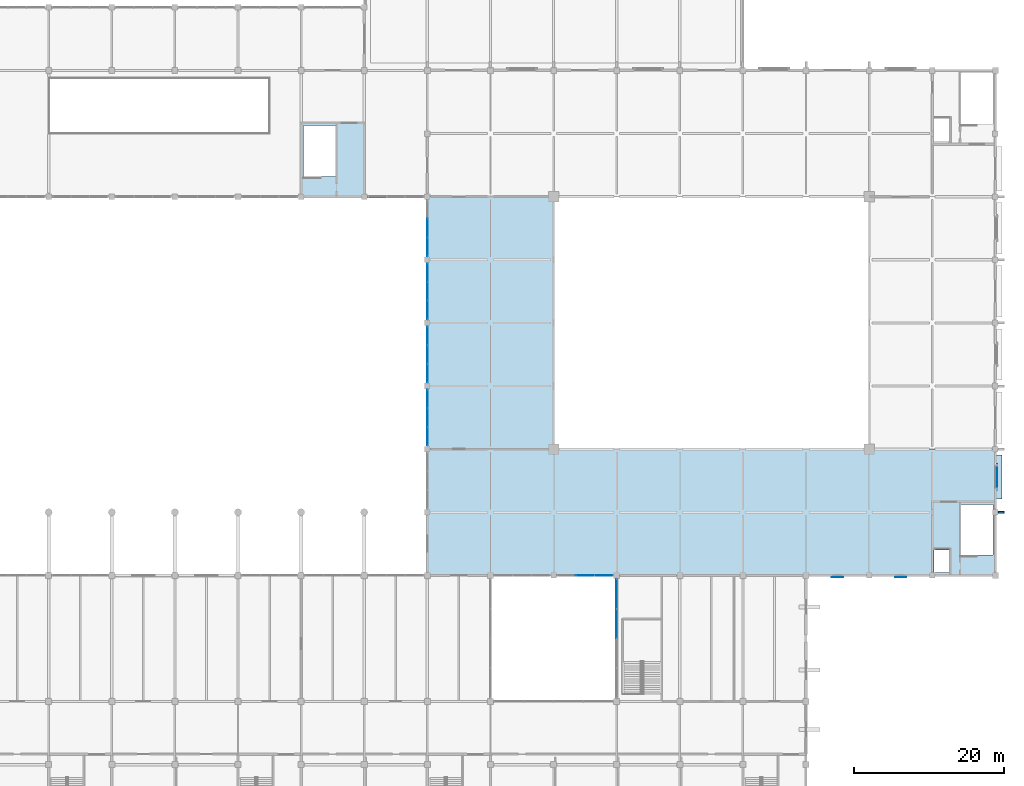
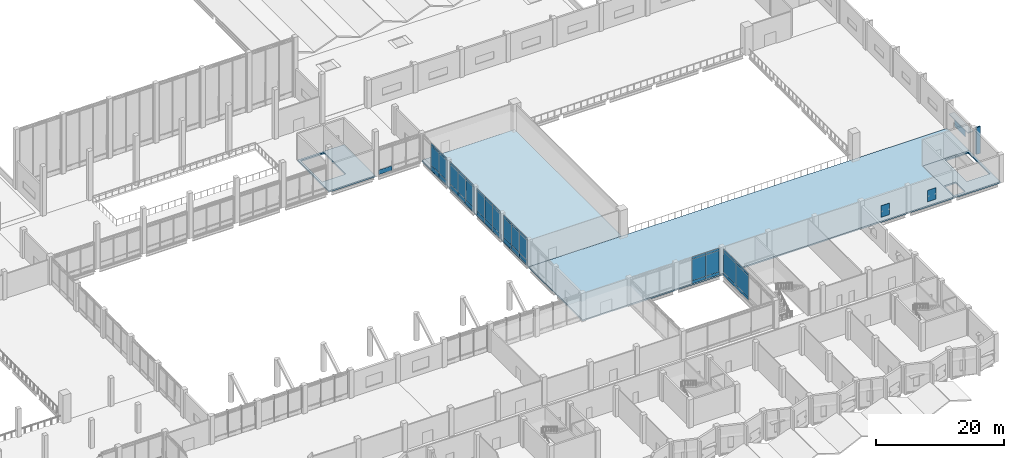
# One storey, part 44 of 72: 51 plates, 4 slabs, 7 elements without a shape of their own.
"""IFC4 building model written with IfcOpenShell, lengths in metres."""

import ifcopenshell
import ifcopenshell.guid

model = None  # the IFC model being written
_history = None  # IfcOwnerHistory: only IFC2X3 demands one
_inside = {}  # id of a spatial element -> (the spatial element, [elements in it])
_under = {}  # id of a project, library or spatial element -> (it, [spatial elements below it])
_declared = {}  # id of a project -> (the project, [libraries it declares])
_typed = {}  # id of a type object -> (the type object, [elements of that type])
_made_of = {}  # id of a material, layer set ... -> (it, [elements and type objects made of it])


def new_model(schema):
    """Start an empty IFC model of exactly this schema.

    Asked for "IFC4X3", IfcOpenShell would pick the latest addendum, in which some entities
    have other attributes; the version numbers below select the first issue.
    IFC2X3 requires an IfcOwnerHistory on every rooted entity: one is made here for all.
    """
    global model, _history
    if schema == "IFC4X3":
        model = ifcopenshell.file(schema_version=(4, 3, 0, 0))
    else:
        model = ifcopenshell.file(schema=schema)
    _inside.clear()
    _under.clear()
    _declared.clear()
    _typed.clear()
    _made_of.clear()
    _history = None
    if model.schema == "IFC2X3":
        org = make("IfcOrganization", Name="unknown")
        user = make(
            "IfcPersonAndOrganization",
            ThePerson=make("IfcPerson", FamilyName="unknown"),
            TheOrganization=org,
        )
        app = make(
            "IfcApplication",
            ApplicationDeveloper=org,
            Version="unknown",
            ApplicationFullName="unknown",
            ApplicationIdentifier="unknown",
        )
        _history = make(
            "IfcOwnerHistory",
            OwningUser=user,
            OwningApplication=app,
            ChangeAction="ADDED",
            CreationDate=0,
        )
    return model


def make(cls, **values):
    """One entity of the class cls with the attributes given. An attribute that is None is left unset."""
    return model.create_entity(
        cls, **{name: value for name, value in values.items() if value is not None}
    )


def rooted(cls, **values):
    """An entity with a GlobalId (a new one), such as an element, a storey or a relation."""
    return make(cls, GlobalId=ifcopenshell.guid.new(), OwnerHistory=_history, **values)


def si_unit(unit_type, name, prefix=None):
    """IfcSIUnit, for example si_unit("LENGTHUNIT", "METRE", prefix="MILLI")."""
    return make("IfcSIUnit", UnitType=unit_type, Prefix=prefix, Name=name)


def assignment(units):
    """IfcUnitAssignment: the units of a project."""
    return None if units is None else make("IfcUnitAssignment", Units=units)


def point(xyz):
    """IfcCartesianPoint."""
    return None if xyz is None else make("IfcCartesianPoint", Coordinates=xyz)


def direction(xyz):
    """IfcDirection."""
    return None if xyz is None else make("IfcDirection", DirectionRatios=xyz)


def frame(location, z_axis=None, x_axis=None):
    """IfcAxis2Placement3D, a coordinate frame: its origin and axes. An axis left out is left unset."""
    return make(
        "IfcAxis2Placement3D",
        Location=point(location),
        Axis=direction(z_axis),
        RefDirection=direction(x_axis),
    )


def frame_2d(location, x_axis=None):
    """IfcAxis2Placement2D, a coordinate frame in the plane: its origin and x axis."""
    return make(
        "IfcAxis2Placement2D", Location=point(location), RefDirection=direction(x_axis)
    )


def origin():
    """The frame at (0, 0, 0) with its axes left unset."""
    return frame((0.0, 0.0, 0.0))


def place(relative_to, where):
    """IfcLocalPlacement: puts the frame where relative to a parent placement (None: the world)."""
    return make(
        "IfcLocalPlacement", PlacementRelTo=relative_to, RelativePlacement=where
    )


def context(
    kind, dimensions, precision=None, world=None, true_north=None, identifier=None
):
    """IfcGeometricRepresentationContext, for example the 3D "Model" context."""
    return make(
        "IfcGeometricRepresentationContext",
        ContextIdentifier=identifier,
        ContextType=kind,
        CoordinateSpaceDimension=dimensions,
        Precision=precision,
        WorldCoordinateSystem=world,
        TrueNorth=true_north,
    )


def subcontext(parent, identifier, kind, view, scale=None):
    """IfcGeometricRepresentationSubContext, for example "Body" below "Model"."""
    return make(
        "IfcGeometricRepresentationSubContext",
        ContextIdentifier=identifier,
        ContextType=kind,
        ParentContext=parent,
        TargetScale=scale,
        TargetView=view,
    )


def project(units=None, contexts=None):
    """IfcProject with its units and contexts."""
    return rooted(
        "IfcProject",
        Name="project",
        RepresentationContexts=contexts,
        UnitsInContext=assignment(units),
    )


def spatial(cls, under=None, at=None, **own):
    """A site, building, storey or space (cls), placed at a placement, below another one or the project."""
    s = rooted(cls, ObjectPlacement=at, **own)
    if under is not None:
        _under.setdefault(under.id(), (under, []))[1].append(s)
    return s


def polyline(points):
    """IfcPolyline through the points."""
    return make("IfcPolyline", Points=[point(p) for p in points])


def profile(cls, at=None, kind="AREA", **sizes):
    """A parametric profile (cls). Its sizes go by their IFC names, for example OverallWidth=200.0."""
    return make(cls, ProfileType=kind, Position=at, **sizes)


def rectangle(**sizes):
    """IfcRectangleProfileDef."""
    return profile("IfcRectangleProfileDef", **sizes)


def outline(outer, holes=None, kind="AREA"):
    """IfcArbitraryClosedProfileDef: a profile drawn as a closed curve; with holes, ...WithVoids."""
    if holes is None:
        return make("IfcArbitraryClosedProfileDef", ProfileType=kind, OuterCurve=outer)
    return make(
        "IfcArbitraryProfileDefWithVoids",
        ProfileType=kind,
        OuterCurve=outer,
        InnerCurves=holes,
    )


def extrude(swept, where, along, depth):
    """IfcExtrudedAreaSolid: the profile swept, set in the frame where, extruded along a direction by depth."""
    return make(
        "IfcExtrudedAreaSolid",
        SweptArea=swept,
        Position=where,
        ExtrudedDirection=direction(along),
        Depth=depth,
    )


def shape(context_of_items, identifier, shape_type, items):
    """IfcShapeRepresentation: the items that make up one representation, for example the "Body"."""
    return make(
        "IfcShapeRepresentation",
        ContextOfItems=context_of_items,
        RepresentationIdentifier=identifier,
        RepresentationType=shape_type,
        Items=items,
    )


def material(Name=None, Category=None):
    """IfcMaterial."""
    return make("IfcMaterial", Name=Name, Category=Category)


def layer(
    of_material, thickness, ventilated=None, Name=None, Category=None, Priority=None
):
    """IfcMaterialLayer: one layer of a wall or slab, of a material (None: an air gap)."""
    return make(
        "IfcMaterialLayer",
        Material=of_material,
        LayerThickness=thickness,
        IsVentilated=ventilated,
        Name=Name,
        Category=Category,
        Priority=Priority,
    )


def layer_set(layers, Name=None):
    """IfcMaterialLayerSet."""
    return make("IfcMaterialLayerSet", MaterialLayers=layers, LayerSetName=Name)


def made_of(thing, what):
    """Note that an element or type object is made of a material, layer set ...; save() writes the relation."""
    if what is not None:
        _made_of.setdefault(what.id(), (what, []))[1].append(thing)
    return thing


def type_object(cls, material=None, **own):
    """A type object (cls), such as IfcWallType, which elements share."""
    return made_of(rooted(cls, **own), material)


def element(
    cls,
    number,
    at=None,
    inside=None,
    cuts=None,
    type_object=None,
    material=None,
    context=None,
    identifier="Body",
    shape_type=None,
    held_by="IfcProductDefinitionShape",
    body=None,
    shapes=None,
    **own,
):
    """One element of the class cls, such as IfcWall. Its Tag is "e" and its number.

    at: its placement. inside: the storey or other place that contains it. cuts: it is an
    opening in that element (IfcRelVoidsElement). A single representation is given by context,
    identifier, shape_type and body (its items); several are given by shapes. held_by: the class
    of the entity that holds the representations. save() writes the other relations.
    """
    e = rooted(cls, Tag="e%d" % number, ObjectPlacement=at, **own)
    if body is not None:
        shapes = [shape(context, identifier, shape_type, body)]
    if shapes is not None:
        e.Representation = make(held_by, Representations=shapes)
    if inside is not None:
        _inside.setdefault(inside.id(), (inside, []))[1].append(e)
    if cuts is not None:
        rooted(
            "IfcRelVoidsElement", RelatingBuildingElement=cuts, RelatedOpeningElement=e
        )
    if type_object is not None:
        _typed.setdefault(type_object.id(), (type_object, []))[1].append(e)
    return made_of(e, material)


def aggregate(whole, parts):
    """IfcRelAggregates: a whole, such as a stair, and the parts it consists of."""
    return rooted("IfcRelAggregates", RelatingObject=whole, RelatedObjects=parts)


def save(model, path):
    """Write the relations noted so far, then the file.

    IfcRelAggregates (storeys below a building ...), IfcRelContainedInSpatialStructure (elements
    in a storey), IfcRelDefinesByType, IfcRelAssociatesMaterial and IfcRelDeclares: one each for
    every whole, place, type object, material and project.
    """
    for whole, parts in _under.values():
        aggregate(whole, parts)
    for where, things in _inside.values():
        rooted(
            "IfcRelContainedInSpatialStructure",
            RelatedElements=things,
            RelatingStructure=where,
        )
    for kind, things in _typed.values():
        rooted("IfcRelDefinesByType", RelatedObjects=things, RelatingType=kind)
    for what, things in _made_of.values():
        rooted("IfcRelAssociatesMaterial", RelatedObjects=things, RelatingMaterial=what)
    for by, libraries in _declared.values():
        rooted("IfcRelDeclares", RelatingContext=by, RelatedDefinitions=libraries)
    model.write(path)


model = new_model("IFC4")

# Units and contexts
model_context = context("Model", 3, precision=1e-05, world=origin(), true_north=direction((0.0, 1.0)))
body_context = subcontext(model_context, "Body", "Model", "MODEL_VIEW")
ifc_project = project(units=[si_unit("LENGTHUNIT", "METRE"), si_unit("AREAUNIT", "SQUARE_METRE"), si_unit("VOLUMEUNIT", "CUBIC_METRE"), si_unit("PLANEANGLEUNIT", "RADIAN"), si_unit("MASSUNIT", "GRAM", prefix="KILO")], contexts=[model_context])

# Site, building, storey
site_placement = place(None, origin())
site = spatial("IfcSite", under=ifc_project, at=site_placement, CompositionType="ELEMENT")
building_placement = place(site_placement, origin())
building = spatial("IfcBuilding", under=site, at=building_placement, Name="Qawsi Khor Wholesale Market", CompositionType="ELEMENT")
storey_placement = place(building_placement, frame((0.0, 0.0, 6.0)))
storey = spatial("IfcBuildingStorey", under=building, at=storey_placement, Name="L01", CompositionType="ELEMENT", Elevation=6.0)

# Curtain wall, plates
ifc_material_1 = material(Name="Aluminium Anodised Bronze", Category="aluminium")
ifc_layer_1 = layer(ifc_material_1, 0.179931640625, Name="Aluminium Anodised Bronze")
ifc_layer_set_1 = layer_set([ifc_layer_1], Name="Aluminium Anodised Bronze")
curtain_wall_type_1 = type_object("IfcCurtainWallType", Name="Atrium Full-Height Curtain Wall CW-02", PredefinedType="NOTDEFINED", material=ifc_layer_set_1)
curtain_wall_1_placement = place(storey_placement, origin())
curtain_wall_1 = element("IfcCurtainWall", 1, at=curtain_wall_1_placement, inside=storey, type_object=curtain_wall_type_1, Name="Curtain wall CW-CW-02-L01-038", PredefinedType="NOTDEFINED")
ifc_material_2 = material(Name="Anodised Aluminium Spandrel", Category="aluminium")
ifc_layer_2 = layer(ifc_material_2, 0.06494140625, Name="Anodised Aluminium Spandrel")
ifc_layer_set_2 = layer_set([ifc_layer_2], Name="Anodised Aluminium Spandrel")
plate_type_1 = type_object("IfcPlateType", Name="Insulated Spandrel Panel CW-02 65mm", PredefinedType="CURTAIN_PANEL", material=ifc_layer_set_2)
plate_1_placement = place(storey_placement, frame((162.56494140625, 42.0, 0.0048828125), z_axis=(0.0, 0.0, 1.0), x_axis=(1.0, 0.0, 0.0)))
plate_1 = element("IfcPlate", 2, at=plate_1_placement, type_object=plate_type_1, Name="Curtain panel CW-CW-02-L01-038-P0_01", PredefinedType="CURTAIN_PANEL", context=body_context, shape_type="SweptSolid", body=[
    extrude(rectangle(XDim=2.469970703125, YDim=0.06494140625, at=frame_2d((1.23486328125, 0.0))), origin(), (0.0, 0.0, 1.0), 0.590087890625),
])
plate_2_placement = place(storey_placement, frame((165.034912109375, 42.0, 0.0048828125), z_axis=(0.0, 0.0, 1.0), x_axis=(1.0, 0.0, 0.0)))
plate_2 = element("IfcPlate", 3, at=plate_2_placement, type_object=plate_type_1, Name="Curtain panel CW-CW-02-L01-038-P0_02", PredefinedType="CURTAIN_PANEL", context=body_context, shape_type="SweptSolid", body=[
    extrude(rectangle(XDim=2.469970703125, YDim=0.06494140625, at=frame_2d((1.23486328125, 0.0))), origin(), (0.0, 0.0, 1.0), 0.590087890625),
])

curtain_wall_2_placement = place(storey_placement, origin())
curtain_wall_2 = element("IfcCurtainWall", 4, at=curtain_wall_2_placement, inside=storey, type_object=curtain_wall_type_1, Name="Curtain wall CW-CW-02-L01-040", PredefinedType="NOTDEFINED")
plate_3_placement = place(storey_placement, frame((168.0, 33.60009765625, 0.0048828125), z_axis=(0.0, 0.0, 1.0), x_axis=(0.0, 1.0, 0.0)))
plate_3 = element("IfcPlate", 5, at=plate_3_placement, type_object=plate_type_1, Name="Curtain panel CW-CW-02-L01-040-P0_02", PredefinedType="CURTAIN_PANEL", context=body_context, shape_type="SweptSolid", body=[
    extrude(rectangle(XDim=3.952392578125, YDim=0.06494140625, at=frame_2d((1.97607421875, 0.0))), origin(), (0.0, 0.0, 1.0), 0.590087890625),
])
plate_4_placement = place(storey_placement, frame((168.0, 37.552490234375, 0.0048828125), z_axis=(0.0, 0.0, 1.0), x_axis=(0.0, 1.0, 0.0)))
plate_4 = element("IfcPlate", 6, at=plate_4_placement, type_object=plate_type_1, Name="Curtain panel CW-CW-02-L01-040-P0_03", PredefinedType="CURTAIN_PANEL", context=body_context, shape_type="SweptSolid", body=[
    extrude(rectangle(XDim=3.952392578125, YDim=0.06494140625, at=frame_2d((1.97607421875, 0.0))), origin(), (0.0, 0.0, 1.0), 0.590087890625),
])

ifc_layer_3 = layer(ifc_material_1, 0.199951171875, Name="Aluminium Anodised Bronze")
ifc_layer_set_3 = layer_set([ifc_layer_3], Name="Aluminium Anodised Bronze")
curtain_wall_type_2 = type_object("IfcCurtainWallType", Name="Trading Hall North-Light Curtain Wall CW-03", PredefinedType="NOTDEFINED", material=ifc_layer_set_3)
curtain_wall_3_placement = place(storey_placement, origin())
curtain_wall_3 = element("IfcCurtainWall", 7, at=curtain_wall_3_placement, inside=storey, type_object=curtain_wall_type_2, Name="Curtain wall CW-CW-03-L01-081", PredefinedType="NOTDEFINED")
ifc_layer_4 = layer(ifc_material_2, 0.074951171875, Name="Anodised Aluminium Spandrel")
ifc_layer_set_4 = layer_set([ifc_layer_4], Name="Anodised Aluminium Spandrel")
plate_type_2 = type_object("IfcPlateType", Name="Insulated Spandrel Panel CW-03 75mm", PredefinedType="CURTAIN_PANEL", material=ifc_layer_set_4)
plate_5_placement = place(storey_placement, frame((142.800048828125, 59.297607421875, 0.0048828125), z_axis=(0.0, 0.0, 1.0), x_axis=(0.0, 1.0, 0.0)))
plate_5 = element("IfcPlate", 8, at=plate_5_placement, type_object=plate_type_2, Name="Curtain panel CW-CW-03-L01-081-P0_00", PredefinedType="CURTAIN_PANEL", context=body_context, shape_type="SweptSolid", body=[
    extrude(rectangle(XDim=2.46826171875, YDim=0.074951171875, at=frame_2d((1.234130859375, 0.0))), origin(), (0.0, 0.0, 1.0), 0.840087890625),
])
plate_6_placement = place(storey_placement, frame((142.800048828125, 61.765869140625, 0.0048828125), z_axis=(0.0, 0.0, 1.0), x_axis=(0.0, 1.0, 0.0)))
plate_6 = element("IfcPlate", 9, at=plate_6_placement, type_object=plate_type_2, Name="Curtain panel CW-CW-03-L01-081-P0_01", PredefinedType="CURTAIN_PANEL", context=body_context, shape_type="SweptSolid", body=[
    extrude(rectangle(XDim=2.46826171875, YDim=0.074951171875, at=frame_2d((1.234130859375, 0.0))), origin(), (0.0, 0.0, 1.0), 0.840087890625),
])
plate_7_placement = place(storey_placement, frame((142.800048828125, 64.234130859375, 0.0048828125), z_axis=(0.0, 0.0, 1.0), x_axis=(0.0, 1.0, 0.0)))
plate_7 = element("IfcPlate", 10, at=plate_7_placement, type_object=plate_type_2, Name="Curtain panel CW-CW-03-L01-081-P0_02", PredefinedType="CURTAIN_PANEL", context=body_context, shape_type="SweptSolid", body=[
    extrude(rectangle(XDim=2.46826171875, YDim=0.074951171875, at=frame_2d((1.234130859375, 0.0))), origin(), (0.0, 0.0, 1.0), 0.840087890625),
])

curtain_wall_4_placement = place(storey_placement, origin())
curtain_wall_4 = element("IfcCurtainWall", 11, at=curtain_wall_4_placement, inside=storey, type_object=curtain_wall_type_2, Name="Curtain wall CW-CW-03-L01-086", PredefinedType="NOTDEFINED")
plate_8_placement = place(storey_placement, frame((142.800048828125, 67.697509765625, 0.0048828125), z_axis=(0.0, 0.0, 1.0), x_axis=(0.0, 1.0, 0.0)))
plate_8 = element("IfcPlate", 12, at=plate_8_placement, type_object=plate_type_2, Name="Curtain panel CW-CW-03-L01-086-P0_00", PredefinedType="CURTAIN_PANEL", context=body_context, shape_type="SweptSolid", body=[
    extrude(rectangle(XDim=2.46826171875, YDim=0.074951171875, at=frame_2d((1.234130859375, 0.0))), origin(), (0.0, 0.0, 1.0), 0.840087890625),
])
plate_9_placement = place(storey_placement, frame((142.800048828125, 70.165771484375, 0.0048828125), z_axis=(0.0, 0.0, 1.0), x_axis=(0.0, 1.0, 0.0)))
plate_9 = element("IfcPlate", 13, at=plate_9_placement, type_object=plate_type_2, Name="Curtain panel CW-CW-03-L01-086-P0_01", PredefinedType="CURTAIN_PANEL", context=body_context, shape_type="SweptSolid", body=[
    extrude(rectangle(XDim=2.468505859375, YDim=0.074951171875, at=frame_2d((1.234375, 0.0))), origin(), (0.0, 0.0, 1.0), 0.840087890625),
])
plate_10_placement = place(storey_placement, frame((142.800048828125, 72.63427734375, 0.0048828125), z_axis=(0.0, 0.0, 1.0), x_axis=(0.0, 1.0, 0.0)))
plate_10 = element("IfcPlate", 14, at=plate_10_placement, type_object=plate_type_2, Name="Curtain panel CW-CW-03-L01-086-P0_02", PredefinedType="CURTAIN_PANEL", context=body_context, shape_type="SweptSolid", body=[
    extrude(rectangle(XDim=2.46826171875, YDim=0.074951171875, at=frame_2d((1.234130859375, 0.0))), origin(), (0.0, 0.0, 1.0), 0.840087890625),
])

curtain_wall_5_placement = place(storey_placement, origin())
curtain_wall_5 = element("IfcCurtainWall", 15, at=curtain_wall_5_placement, inside=storey, type_object=curtain_wall_type_2, Name="Curtain wall CW-CW-03-L01-091", PredefinedType="NOTDEFINED")
plate_11_placement = place(storey_placement, frame((142.800048828125, 76.097412109375, 0.0048828125), z_axis=(0.0, 0.0, 1.0), x_axis=(0.0, 1.0, 0.0)))
plate_11 = element("IfcPlate", 16, at=plate_11_placement, type_object=plate_type_2, Name="Curtain panel CW-CW-03-L01-091-P0_00", PredefinedType="CURTAIN_PANEL", context=body_context, shape_type="SweptSolid", body=[
    extrude(rectangle(XDim=2.468505859375, YDim=0.074951171875, at=frame_2d((1.234375, 0.0))), origin(), (0.0, 0.0, 1.0), 0.840087890625),
])
plate_12_placement = place(storey_placement, frame((142.800048828125, 78.56591796875, 0.0048828125), z_axis=(0.0, 0.0, 1.0), x_axis=(0.0, 1.0, 0.0)))
plate_12 = element("IfcPlate", 17, at=plate_12_placement, type_object=plate_type_2, Name="Curtain panel CW-CW-03-L01-091-P0_01", PredefinedType="CURTAIN_PANEL", context=body_context, shape_type="SweptSolid", body=[
    extrude(rectangle(XDim=2.46826171875, YDim=0.074951171875, at=frame_2d((1.234130859375, 0.0))), origin(), (0.0, 0.0, 1.0), 0.840087890625),
])
plate_13_placement = place(storey_placement, frame((142.800048828125, 81.0341796875, 0.0048828125), z_axis=(0.0, 0.0, 1.0), x_axis=(0.0, 1.0, 0.0)))
plate_13 = element("IfcPlate", 18, at=plate_13_placement, type_object=plate_type_2, Name="Curtain panel CW-CW-03-L01-091-P0_02", PredefinedType="CURTAIN_PANEL", context=body_context, shape_type="SweptSolid", body=[
    extrude(rectangle(XDim=2.46826171875, YDim=0.074951171875, at=frame_2d((1.234130859375, 0.0))), origin(), (0.0, 0.0, 1.0), 0.840087890625),
])

curtain_wall_6_placement = place(storey_placement, origin())
curtain_wall_6 = element("IfcCurtainWall", 19, at=curtain_wall_6_placement, inside=storey, type_object=curtain_wall_type_2, Name="Curtain wall CW-CW-03-L01-096", PredefinedType="NOTDEFINED")
plate_14_placement = place(storey_placement, frame((142.800048828125, 84.49755859375, 0.0048828125), z_axis=(0.0, 0.0, 1.0), x_axis=(0.0, 1.0, 0.0)))
plate_14 = element("IfcPlate", 20, at=plate_14_placement, type_object=plate_type_2, Name="Curtain panel CW-CW-03-L01-096-P0_00", PredefinedType="CURTAIN_PANEL", context=body_context, shape_type="SweptSolid", body=[
    extrude(rectangle(XDim=2.46826171875, YDim=0.074951171875, at=frame_2d((1.234130859375, 0.0))), origin(), (0.0, 0.0, 1.0), 0.840087890625),
])
plate_15_placement = place(storey_placement, frame((142.800048828125, 86.9658203125, 0.0048828125), z_axis=(0.0, 0.0, 1.0), x_axis=(0.0, 1.0, 0.0)))
plate_15 = element("IfcPlate", 21, at=plate_15_placement, type_object=plate_type_2, Name="Curtain panel CW-CW-03-L01-096-P0_01", PredefinedType="CURTAIN_PANEL", context=body_context, shape_type="SweptSolid", body=[
    extrude(rectangle(XDim=2.46826171875, YDim=0.074951171875, at=frame_2d((1.234130859375, 0.0))), origin(), (0.0, 0.0, 1.0), 0.840087890625),
])

# Curtain wall, plate
ifc_layer_5 = layer(ifc_material_1, 0.219970703125, Name="Aluminium Anodised Bronze")
ifc_layer_set_5 = layer_set([ifc_layer_5], Name="Aluminium Anodised Bronze")
curtain_wall_type_3 = type_object("IfcCurtainWallType", Name="Auction Clerestory Curtain Wall CW-04", PredefinedType="NOTDEFINED", material=ifc_layer_set_5)
curtain_wall_7_placement = place(storey_placement, origin())
curtain_wall_7 = element("IfcCurtainWall", 22, at=curtain_wall_7_placement, inside=storey, type_object=curtain_wall_type_3, Name="Curtain wall CW-CW-04-L01-116", PredefinedType="NOTDEFINED")
ifc_layer_6 = layer(ifc_material_2, 0.0849609375, Name="Anodised Aluminium Spandrel")
ifc_layer_set_6 = layer_set([ifc_layer_6], Name="Anodised Aluminium Spandrel")
plate_type_3 = type_object("IfcPlateType", Name="Insulated Spandrel Panel CW-04 85mm", PredefinedType="CURTAIN_PANEL", material=ifc_layer_set_6)
plate_16_placement = place(storey_placement, frame((134.949951171875, 92.39990234375, 0.0048828125), z_axis=(0.0, 0.0, 1.0), x_axis=(1.0, 0.0, 0.0)))
plate_16 = element("IfcPlate", 23, at=plate_16_placement, type_object=plate_type_3, Name="Curtain panel CW-CW-04-L01-116-P0_00", PredefinedType="CURTAIN_PANEL", context=body_context, shape_type="SweptSolid", body=[
    extrude(rectangle(XDim=2.449951171875, YDim=0.0849609375, at=frame_2d((1.22509765625, 0.0))), origin(), (0.0, 0.0, 1.0), 0.840087890625),
])
aggregate(curtain_wall_7, [plate_16])

# Slabs
ifc_material_3 = material(Name="Concrete C40/50", Category="concrete")
ifc_layer_7 = layer(ifc_material_3, 0.27001953125, Name="Concrete C40/50")
ifc_layer_set_7 = layer_set([ifc_layer_7], Name="Concrete C40/50")
slab_type_1 = type_object("IfcSlabType", Name="Mezzanine Floor Slab 265 C40/50", PredefinedType="FLOOR", material=ifc_layer_set_7)
slab_1_placement = place(storey_placement, frame((0.0, 0.0, -0.27001953125)))
element("IfcSlab", 24, at=slab_1_placement, inside=storey, type_object=slab_type_1, Name="SLB-L01-EHALL-S", PredefinedType="FLOOR", context=body_context, shape_type="SweptSolid", body=[
    extrude(outline(polyline([(142.800048828125, 58.800048828125), (218.39990234375, 58.800048828125), (218.39990234375, 51.800048828125), (210.0, 51.800048828125), (210.0, 42.0), (142.800048828125, 42.0), (142.800048828125, 58.800048828125)])), origin(), (0.0, 0.0, 1.0), 0.27001953125),
])
slab_2_placement = place(storey_placement, frame((0.0, 0.0, -0.27001953125)))
element("IfcSlab", 25, at=slab_2_placement, inside=storey, type_object=slab_type_1, Name="SLB-L01-EHALL-W", PredefinedType="FLOOR", context=body_context, shape_type="SweptSolid", body=[
    extrude(outline(polyline([(142.800048828125, 92.39990234375), (159.60009765625, 92.39990234375), (159.60009765625, 58.800048828125), (142.800048828125, 58.800048828125), (142.800048828125, 92.39990234375)])), origin(), (0.0, 0.0, 1.0), 0.27001953125),
])

# Plates
ifc_material_4 = material(Name="Perforated Bronze-Anodised Aluminium", Category="aluminium")
ifc_layer_8 = layer(ifc_material_4, 0.014892578125, Name="Perforated Bronze-Anodised Aluminium")
ifc_layer_set_8 = layer_set([ifc_layer_8], Name="Perforated Bronze-Anodised Aluminium")
plate_type_4 = type_object("IfcPlateType", Name="Perforated Bronze Mashrabiya Screen 15mm", PredefinedType="SHEET", material=ifc_layer_set_8)
for number, where, z_axis, x_axis, name in (
    (26, (198.14990234375, 41.735107421875, 0.949951171875), (0.0, 0.0, 1.0), (-1.0, 0.0, 0.0), "Solar mashrabiya screen 095"),
    (27, (206.550048828125, 41.735107421875, 0.949951171875), (0.0, 0.0, 1.0), (-1.0, 0.0, 0.0), "Solar mashrabiya screen 096"),
):
    element("IfcPlate", number, at=place(storey_placement, frame(where, z_axis=z_axis, x_axis=x_axis)), inside=storey, type_object=plate_type_4, Name=name, PredefinedType="SHEET", context=body_context, shape_type="SweptSolid", body=[
        extrude(rectangle(XDim=1.5, YDim=0.014892578125, at=frame_2d((0.75, 0.0))), origin(), (0.0, 0.0, 1.0), 2.199951171875),
    ])
ifc_layer_9 = layer(ifc_material_4, 0.028076171875, Name="Perforated Bronze-Anodised Aluminium")
ifc_layer_set_9 = layer_set([ifc_layer_9], Name="Perforated Bronze-Anodised Aluminium")
plate_type_5 = type_object("IfcPlateType", Name="Perforated Bronze Mashrabiya Screen 28mm", PredefinedType="SHEET", material=ifc_layer_set_9)
plate_17_placement = place(storey_placement, frame((218.6650390625, 56.784912109375, 1.449951171875), z_axis=(0.0, 0.0, 1.0), x_axis=(0.0, -1.0, 0.0)))
element("IfcPlate", 28, at=plate_17_placement, inside=storey, type_object=plate_type_5, Name="Solar mashrabiya screen 092", PredefinedType="SHEET", context=body_context, shape_type="SweptSolid", body=[
    extrude(rectangle(XDim=3.39990234375, YDim=0.028076171875, at=frame_2d((1.699951171875, 0.0))), origin(), (0.0, 0.0, 1.0), 1.25),
])
ifc_layer_10 = layer(ifc_material_3, 0.260009765625, Name="Concrete C40/50")
ifc_layer_set_10 = layer_set([ifc_layer_10], Name="Concrete C40/50")
plate_type_6 = type_object("IfcPlateType", Name="Sculpted Concrete Solar Buttress Fin 260", PredefinedType="SHEET", material=ifc_layer_set_10)
plate_18_placement = place(storey_placement, frame((218.7900390625, 50.39990234375, 0.0), z_axis=(0.0, 0.0, 1.0), x_axis=(1.0, 0.0, 0.0)))
element("IfcPlate", 29, at=plate_18_placement, inside=storey, type_object=plate_type_6, Name="East Hall Concrete Buttress Rib L01-6", PredefinedType="SHEET", context=body_context, shape_type="SweptSolid", body=[
    extrude(rectangle(XDim=0.760009765625, YDim=0.260009765625, at=frame_2d((0.3798828125, 0.0))), origin(), (0.0, 0.0, 1.0), 5.1298828125),
])
ifc_layer_11 = layer(ifc_material_3, 0.949951171875, Name="Concrete C40/50")
ifc_layer_set_11 = layer_set([ifc_layer_11], Name="Concrete C40/50")
plate_type_7 = type_object("IfcPlateType", Name="Sculpted Concrete Sun-Hood Canopy 950", PredefinedType="SHEET", material=ifc_layer_set_11)
plate_19_placement = place(storey_placement, frame((218.824951171875, 52.14990234375, 3.050048828125), z_axis=(0.0, 0.0, 1.0), x_axis=(0.0, 1.0, 0.0)))
element("IfcPlate", 30, at=plate_19_placement, inside=storey, type_object=plate_type_7, Name="East Hall Concrete Sun-Hood L01-6", PredefinedType="SHEET", context=body_context, shape_type="SweptSolid", body=[
    extrude(rectangle(XDim=5.8701171875, YDim=0.949951171875, at=frame_2d((2.93505859375, 0.0))), origin(), (0.0, 0.0, 1.0), 0.18994140625),
])

# Plate
ifc_material_5 = material(Name="Tempered Low-E Solar Glass", Category="glass")
ifc_layer_12 = layer(ifc_material_5, 0.031982421875, Name="Tempered Low-E Solar Glass")
ifc_layer_set_12 = layer_set([ifc_layer_12], Name="Tempered Low-E Solar Glass")
plate_type_8 = type_object("IfcPlateType", Name="Solar Double-Glazed Unit CW-02 32mm", PredefinedType="CURTAIN_PANEL", material=ifc_layer_set_12)
plate_20_placement = place(storey_placement, frame((162.56494140625, 42.0, 0.60498046875), z_axis=(0.0, 0.0, 1.0), x_axis=(1.0, 0.0, 0.0)))
plate_20 = element("IfcPlate", 31, at=plate_20_placement, type_object=plate_type_8, Name="Curtain panel CW-CW-02-L01-038-P1_01", PredefinedType="CURTAIN_PANEL", context=body_context, shape_type="SweptSolid", body=[
    extrude(rectangle(XDim=2.469970703125, YDim=0.031982421875, at=frame_2d((1.23486328125, 0.0))), origin(), (0.0, 0.0, 1.0), 4.06005859375),
])

plate_21_placement = place(storey_placement, frame((165.034912109375, 42.0, 0.60498046875), z_axis=(0.0, 0.0, 1.0), x_axis=(1.0, 0.0, 0.0)))
plate_21 = element("IfcPlate", 32, at=plate_21_placement, type_object=plate_type_8, Name="Curtain panel CW-CW-02-L01-038-P1_02", PredefinedType="CURTAIN_PANEL", context=body_context, shape_type="SweptSolid", body=[
    extrude(rectangle(XDim=2.469970703125, YDim=0.031982421875, at=frame_2d((1.23486328125, 0.0))), origin(), (0.0, 0.0, 1.0), 4.06005859375),
])

plate_22_placement = place(storey_placement, frame((162.56494140625, 42.0, 4.675048828125), z_axis=(0.0, 0.0, 1.0), x_axis=(1.0, 0.0, 0.0)))
plate_22 = element("IfcPlate", 33, at=plate_22_placement, type_object=plate_type_8, Name="Curtain panel CW-CW-02-L01-038-P2_01", PredefinedType="CURTAIN_PANEL", context=body_context, shape_type="SweptSolid", body=[
    extrude(rectangle(XDim=2.469970703125, YDim=0.031982421875, at=frame_2d((1.23486328125, 0.0))), origin(), (0.0, 0.0, 1.0), 0.43994140625),
])

plate_23_placement = place(storey_placement, frame((165.034912109375, 42.0, 4.675048828125), z_axis=(0.0, 0.0, 1.0), x_axis=(1.0, 0.0, 0.0)))
plate_23 = element("IfcPlate", 34, at=plate_23_placement, type_object=plate_type_8, Name="Curtain panel CW-CW-02-L01-038-P2_02", PredefinedType="CURTAIN_PANEL", context=body_context, shape_type="SweptSolid", body=[
    extrude(rectangle(XDim=2.469970703125, YDim=0.031982421875, at=frame_2d((1.23486328125, 0.0))), origin(), (0.0, 0.0, 1.0), 0.43994140625),
])

aggregate(curtain_wall_1, [plate_1, plate_2, plate_20, plate_21, plate_22, plate_23])

plate_24_placement = place(storey_placement, frame((168.0, 33.60009765625, 0.60498046875), z_axis=(0.0, 0.0, 1.0), x_axis=(0.0, 1.0, 0.0)))
plate_24 = element("IfcPlate", 35, at=plate_24_placement, type_object=plate_type_8, Name="Curtain panel CW-CW-02-L01-040-P1_02", PredefinedType="CURTAIN_PANEL", context=body_context, shape_type="SweptSolid", body=[
    extrude(rectangle(XDim=3.952392578125, YDim=0.031982421875, at=frame_2d((1.97607421875, 0.0))), origin(), (0.0, 0.0, 1.0), 4.06005859375),
])

plate_25_placement = place(storey_placement, frame((168.0, 37.552490234375, 0.60498046875), z_axis=(0.0, 0.0, 1.0), x_axis=(0.0, 1.0, 0.0)))
plate_25 = element("IfcPlate", 36, at=plate_25_placement, type_object=plate_type_8, Name="Curtain panel CW-CW-02-L01-040-P1_03", PredefinedType="CURTAIN_PANEL", context=body_context, shape_type="SweptSolid", body=[
    extrude(rectangle(XDim=3.952392578125, YDim=0.031982421875, at=frame_2d((1.97607421875, 0.0))), origin(), (0.0, 0.0, 1.0), 4.06005859375),
])

plate_26_placement = place(storey_placement, frame((168.0, 33.60009765625, 4.675048828125), z_axis=(0.0, 0.0, 1.0), x_axis=(0.0, 1.0, 0.0)))
plate_26 = element("IfcPlate", 37, at=plate_26_placement, type_object=plate_type_8, Name="Curtain panel CW-CW-02-L01-040-P2_02", PredefinedType="CURTAIN_PANEL", context=body_context, shape_type="SweptSolid", body=[
    extrude(rectangle(XDim=3.952392578125, YDim=0.031982421875, at=frame_2d((1.97607421875, 0.0))), origin(), (0.0, 0.0, 1.0), 0.43994140625),
])

plate_27_placement = place(storey_placement, frame((168.0, 37.552490234375, 4.675048828125), z_axis=(0.0, 0.0, 1.0), x_axis=(0.0, 1.0, 0.0)))
plate_27 = element("IfcPlate", 38, at=plate_27_placement, type_object=plate_type_8, Name="Curtain panel CW-CW-02-L01-040-P2_03", PredefinedType="CURTAIN_PANEL", context=body_context, shape_type="SweptSolid", body=[
    extrude(rectangle(XDim=3.952392578125, YDim=0.031982421875, at=frame_2d((1.97607421875, 0.0))), origin(), (0.0, 0.0, 1.0), 0.43994140625),
])

aggregate(curtain_wall_2, [plate_3, plate_4, plate_24, plate_25, plate_26, plate_27])

ifc_layer_13 = layer(ifc_material_5, 0.0419921875, Name="Tempered Low-E Solar Glass")
ifc_layer_set_13 = layer_set([ifc_layer_13], Name="Tempered Low-E Solar Glass")
plate_type_9 = type_object("IfcPlateType", Name="Solar Double-Glazed Unit CW-03 42mm", PredefinedType="CURTAIN_PANEL", material=ifc_layer_set_13)
plate_28_placement = place(storey_placement, frame((142.800048828125, 59.297607421875, 0.85498046875), z_axis=(0.0, 0.0, 1.0), x_axis=(0.0, 1.0, 0.0)))
plate_28 = element("IfcPlate", 39, at=plate_28_placement, type_object=plate_type_9, Name="Curtain panel CW-CW-03-L01-081-P1_00", PredefinedType="CURTAIN_PANEL", context=body_context, shape_type="SweptSolid", body=[
    extrude(rectangle(XDim=2.46826171875, YDim=0.0419921875, at=frame_2d((1.234130859375, 0.0))), origin(), (0.0, 0.0, 1.0), 3.820068359375),
])

plate_29_placement = place(storey_placement, frame((142.800048828125, 61.765869140625, 0.85498046875), z_axis=(0.0, 0.0, 1.0), x_axis=(0.0, 1.0, 0.0)))
plate_29 = element("IfcPlate", 40, at=plate_29_placement, type_object=plate_type_9, Name="Curtain panel CW-CW-03-L01-081-P1_01", PredefinedType="CURTAIN_PANEL", context=body_context, shape_type="SweptSolid", body=[
    extrude(rectangle(XDim=2.46826171875, YDim=0.0419921875, at=frame_2d((1.234130859375, 0.0))), origin(), (0.0, 0.0, 1.0), 3.820068359375),
])

plate_30_placement = place(storey_placement, frame((142.800048828125, 64.234130859375, 0.85498046875), z_axis=(0.0, 0.0, 1.0), x_axis=(0.0, 1.0, 0.0)))
plate_30 = element("IfcPlate", 41, at=plate_30_placement, type_object=plate_type_9, Name="Curtain panel CW-CW-03-L01-081-P1_02", PredefinedType="CURTAIN_PANEL", context=body_context, shape_type="SweptSolid", body=[
    extrude(rectangle(XDim=2.46826171875, YDim=0.0419921875, at=frame_2d((1.234130859375, 0.0))), origin(), (0.0, 0.0, 1.0), 3.820068359375),
])

plate_31_placement = place(storey_placement, frame((142.800048828125, 59.297607421875, 4.68505859375), z_axis=(0.0, 0.0, 1.0), x_axis=(0.0, 1.0, 0.0)))
plate_31 = element("IfcPlate", 42, at=plate_31_placement, type_object=plate_type_9, Name="Curtain panel CW-CW-03-L01-081-P2_00", PredefinedType="CURTAIN_PANEL", context=body_context, shape_type="SweptSolid", body=[
    extrude(rectangle(XDim=2.46826171875, YDim=0.0419921875, at=frame_2d((1.234130859375, 0.0))), origin(), (0.0, 0.0, 1.0), 0.43994140625),
])

plate_32_placement = place(storey_placement, frame((142.800048828125, 61.765869140625, 4.68505859375), z_axis=(0.0, 0.0, 1.0), x_axis=(0.0, 1.0, 0.0)))
plate_32 = element("IfcPlate", 43, at=plate_32_placement, type_object=plate_type_9, Name="Curtain panel CW-CW-03-L01-081-P2_01", PredefinedType="CURTAIN_PANEL", context=body_context, shape_type="SweptSolid", body=[
    extrude(rectangle(XDim=2.46826171875, YDim=0.0419921875, at=frame_2d((1.234130859375, 0.0))), origin(), (0.0, 0.0, 1.0), 0.43994140625),
])

plate_33_placement = place(storey_placement, frame((142.800048828125, 64.234130859375, 4.68505859375), z_axis=(0.0, 0.0, 1.0), x_axis=(0.0, 1.0, 0.0)))
plate_33 = element("IfcPlate", 44, at=plate_33_placement, type_object=plate_type_9, Name="Curtain panel CW-CW-03-L01-081-P2_02", PredefinedType="CURTAIN_PANEL", context=body_context, shape_type="SweptSolid", body=[
    extrude(rectangle(XDim=2.46826171875, YDim=0.0419921875, at=frame_2d((1.234130859375, 0.0))), origin(), (0.0, 0.0, 1.0), 0.43994140625),
])

aggregate(curtain_wall_3, [plate_5, plate_6, plate_7, plate_28, plate_29, plate_30, plate_31, plate_32, plate_33])

plate_34_placement = place(storey_placement, frame((142.800048828125, 67.697509765625, 0.85498046875), z_axis=(0.0, 0.0, 1.0), x_axis=(0.0, 1.0, 0.0)))
plate_34 = element("IfcPlate", 45, at=plate_34_placement, type_object=plate_type_9, Name="Curtain panel CW-CW-03-L01-086-P1_00", PredefinedType="CURTAIN_PANEL", context=body_context, shape_type="SweptSolid", body=[
    extrude(rectangle(XDim=2.46826171875, YDim=0.0419921875, at=frame_2d((1.234130859375, 0.0))), origin(), (0.0, 0.0, 1.0), 3.820068359375),
])

plate_35_placement = place(storey_placement, frame((142.800048828125, 70.165771484375, 0.85498046875), z_axis=(0.0, 0.0, 1.0), x_axis=(0.0, 1.0, 0.0)))
plate_35 = element("IfcPlate", 46, at=plate_35_placement, type_object=plate_type_9, Name="Curtain panel CW-CW-03-L01-086-P1_01", PredefinedType="CURTAIN_PANEL", context=body_context, shape_type="SweptSolid", body=[
    extrude(rectangle(XDim=2.468505859375, YDim=0.0419921875, at=frame_2d((1.234375, 0.0))), origin(), (0.0, 0.0, 1.0), 3.820068359375),
])

plate_36_placement = place(storey_placement, frame((142.800048828125, 72.63427734375, 0.85498046875), z_axis=(0.0, 0.0, 1.0), x_axis=(0.0, 1.0, 0.0)))
plate_36 = element("IfcPlate", 47, at=plate_36_placement, type_object=plate_type_9, Name="Curtain panel CW-CW-03-L01-086-P1_02", PredefinedType="CURTAIN_PANEL", context=body_context, shape_type="SweptSolid", body=[
    extrude(rectangle(XDim=2.46826171875, YDim=0.0419921875, at=frame_2d((1.234130859375, 0.0))), origin(), (0.0, 0.0, 1.0), 3.820068359375),
])

plate_37_placement = place(storey_placement, frame((142.800048828125, 67.697509765625, 4.68505859375), z_axis=(0.0, 0.0, 1.0), x_axis=(0.0, 1.0, 0.0)))
plate_37 = element("IfcPlate", 48, at=plate_37_placement, type_object=plate_type_9, Name="Curtain panel CW-CW-03-L01-086-P2_00", PredefinedType="CURTAIN_PANEL", context=body_context, shape_type="SweptSolid", body=[
    extrude(rectangle(XDim=2.46826171875, YDim=0.0419921875, at=frame_2d((1.234130859375, 0.0))), origin(), (0.0, 0.0, 1.0), 0.43994140625),
])

plate_38_placement = place(storey_placement, frame((142.800048828125, 70.165771484375, 4.68505859375), z_axis=(0.0, 0.0, 1.0), x_axis=(0.0, 1.0, 0.0)))
plate_38 = element("IfcPlate", 49, at=plate_38_placement, type_object=plate_type_9, Name="Curtain panel CW-CW-03-L01-086-P2_01", PredefinedType="CURTAIN_PANEL", context=body_context, shape_type="SweptSolid", body=[
    extrude(rectangle(XDim=2.468505859375, YDim=0.0419921875, at=frame_2d((1.234375, 0.0))), origin(), (0.0, 0.0, 1.0), 0.43994140625),
])

plate_39_placement = place(storey_placement, frame((142.800048828125, 72.63427734375, 4.68505859375), z_axis=(0.0, 0.0, 1.0), x_axis=(0.0, 1.0, 0.0)))
plate_39 = element("IfcPlate", 50, at=plate_39_placement, type_object=plate_type_9, Name="Curtain panel CW-CW-03-L01-086-P2_02", PredefinedType="CURTAIN_PANEL", context=body_context, shape_type="SweptSolid", body=[
    extrude(rectangle(XDim=2.46826171875, YDim=0.0419921875, at=frame_2d((1.234130859375, 0.0))), origin(), (0.0, 0.0, 1.0), 0.43994140625),
])

aggregate(curtain_wall_4, [plate_8, plate_9, plate_10, plate_34, plate_35, plate_36, plate_37, plate_38, plate_39])

plate_40_placement = place(storey_placement, frame((142.800048828125, 76.097412109375, 0.85498046875), z_axis=(0.0, 0.0, 1.0), x_axis=(0.0, 1.0, 0.0)))
plate_40 = element("IfcPlate", 51, at=plate_40_placement, type_object=plate_type_9, Name="Curtain panel CW-CW-03-L01-091-P1_00", PredefinedType="CURTAIN_PANEL", context=body_context, shape_type="SweptSolid", body=[
    extrude(rectangle(XDim=2.468505859375, YDim=0.0419921875, at=frame_2d((1.234375, 0.0))), origin(), (0.0, 0.0, 1.0), 3.820068359375),
])

plate_41_placement = place(storey_placement, frame((142.800048828125, 78.56591796875, 0.85498046875), z_axis=(0.0, 0.0, 1.0), x_axis=(0.0, 1.0, 0.0)))
plate_41 = element("IfcPlate", 52, at=plate_41_placement, type_object=plate_type_9, Name="Curtain panel CW-CW-03-L01-091-P1_01", PredefinedType="CURTAIN_PANEL", context=body_context, shape_type="SweptSolid", body=[
    extrude(rectangle(XDim=2.46826171875, YDim=0.0419921875, at=frame_2d((1.234130859375, 0.0))), origin(), (0.0, 0.0, 1.0), 3.820068359375),
])

plate_42_placement = place(storey_placement, frame((142.800048828125, 81.0341796875, 0.85498046875), z_axis=(0.0, 0.0, 1.0), x_axis=(0.0, 1.0, 0.0)))
plate_42 = element("IfcPlate", 53, at=plate_42_placement, type_object=plate_type_9, Name="Curtain panel CW-CW-03-L01-091-P1_02", PredefinedType="CURTAIN_PANEL", context=body_context, shape_type="SweptSolid", body=[
    extrude(rectangle(XDim=2.46826171875, YDim=0.0419921875, at=frame_2d((1.234130859375, 0.0))), origin(), (0.0, 0.0, 1.0), 3.820068359375),
])

plate_43_placement = place(storey_placement, frame((142.800048828125, 76.097412109375, 4.68505859375), z_axis=(0.0, 0.0, 1.0), x_axis=(0.0, 1.0, 0.0)))
plate_43 = element("IfcPlate", 54, at=plate_43_placement, type_object=plate_type_9, Name="Curtain panel CW-CW-03-L01-091-P2_00", PredefinedType="CURTAIN_PANEL", context=body_context, shape_type="SweptSolid", body=[
    extrude(rectangle(XDim=2.468505859375, YDim=0.0419921875, at=frame_2d((1.234375, 0.0))), origin(), (0.0, 0.0, 1.0), 0.43994140625),
])

plate_44_placement = place(storey_placement, frame((142.800048828125, 78.56591796875, 4.68505859375), z_axis=(0.0, 0.0, 1.0), x_axis=(0.0, 1.0, 0.0)))
plate_44 = element("IfcPlate", 55, at=plate_44_placement, type_object=plate_type_9, Name="Curtain panel CW-CW-03-L01-091-P2_01", PredefinedType="CURTAIN_PANEL", context=body_context, shape_type="SweptSolid", body=[
    extrude(rectangle(XDim=2.46826171875, YDim=0.0419921875, at=frame_2d((1.234130859375, 0.0))), origin(), (0.0, 0.0, 1.0), 0.43994140625),
])

plate_45_placement = place(storey_placement, frame((142.800048828125, 81.0341796875, 4.68505859375), z_axis=(0.0, 0.0, 1.0), x_axis=(0.0, 1.0, 0.0)))
plate_45 = element("IfcPlate", 56, at=plate_45_placement, type_object=plate_type_9, Name="Curtain panel CW-CW-03-L01-091-P2_02", PredefinedType="CURTAIN_PANEL", context=body_context, shape_type="SweptSolid", body=[
    extrude(rectangle(XDim=2.46826171875, YDim=0.0419921875, at=frame_2d((1.234130859375, 0.0))), origin(), (0.0, 0.0, 1.0), 0.43994140625),
])

aggregate(curtain_wall_5, [plate_11, plate_12, plate_13, plate_40, plate_41, plate_42, plate_43, plate_44, plate_45])

plate_46_placement = place(storey_placement, frame((142.800048828125, 84.49755859375, 0.85498046875), z_axis=(0.0, 0.0, 1.0), x_axis=(0.0, 1.0, 0.0)))
plate_46 = element("IfcPlate", 57, at=plate_46_placement, type_object=plate_type_9, Name="Curtain panel CW-CW-03-L01-096-P1_00", PredefinedType="CURTAIN_PANEL", context=body_context, shape_type="SweptSolid", body=[
    extrude(rectangle(XDim=2.46826171875, YDim=0.0419921875, at=frame_2d((1.234130859375, 0.0))), origin(), (0.0, 0.0, 1.0), 3.820068359375),
])

plate_47_placement = place(storey_placement, frame((142.800048828125, 86.9658203125, 0.85498046875), z_axis=(0.0, 0.0, 1.0), x_axis=(0.0, 1.0, 0.0)))
plate_47 = element("IfcPlate", 58, at=plate_47_placement, type_object=plate_type_9, Name="Curtain panel CW-CW-03-L01-096-P1_01", PredefinedType="CURTAIN_PANEL", context=body_context, shape_type="SweptSolid", body=[
    extrude(rectangle(XDim=2.46826171875, YDim=0.0419921875, at=frame_2d((1.234130859375, 0.0))), origin(), (0.0, 0.0, 1.0), 3.820068359375),
])

plate_48_placement = place(storey_placement, frame((142.800048828125, 84.49755859375, 4.68505859375), z_axis=(0.0, 0.0, 1.0), x_axis=(0.0, 1.0, 0.0)))
plate_48 = element("IfcPlate", 59, at=plate_48_placement, type_object=plate_type_9, Name="Curtain panel CW-CW-03-L01-096-P2_00", PredefinedType="CURTAIN_PANEL", context=body_context, shape_type="SweptSolid", body=[
    extrude(rectangle(XDim=2.46826171875, YDim=0.0419921875, at=frame_2d((1.234130859375, 0.0))), origin(), (0.0, 0.0, 1.0), 0.43994140625),
])

plate_49_placement = place(storey_placement, frame((142.800048828125, 86.9658203125, 4.68505859375), z_axis=(0.0, 0.0, 1.0), x_axis=(0.0, 1.0, 0.0)))
plate_49 = element("IfcPlate", 60, at=plate_49_placement, type_object=plate_type_9, Name="Curtain panel CW-CW-03-L01-096-P2_01", PredefinedType="CURTAIN_PANEL", context=body_context, shape_type="SweptSolid", body=[
    extrude(rectangle(XDim=2.46826171875, YDim=0.0419921875, at=frame_2d((1.234130859375, 0.0))), origin(), (0.0, 0.0, 1.0), 0.43994140625),
])

aggregate(curtain_wall_6, [plate_14, plate_15, plate_46, plate_47, plate_48, plate_49])

# Slabs
ifc_layer_14 = layer(ifc_material_3, 0.280029296875, Name="Concrete C40/50")
ifc_layer_set_14 = layer_set([ifc_layer_14], Name="Concrete C40/50")
slab_type_2 = type_object("IfcSlabType", Name="Suspended Floor Slab 280 C40/50", PredefinedType="FLOOR", material=ifc_layer_set_14)
slab_3_placement = place(storey_placement, frame((0.0, 0.0, -0.280029296875)))
element("IfcSlab", 61, at=slab_3_placement, inside=storey, type_object=slab_type_2, Name="Core floor slab L01 C10", PredefinedType="FLOOR", context=body_context, shape_type="SweptSolid", body=[
    extrude(outline(polyline([(126.0, 102.199951171875), (134.39990234375, 102.199951171875), (134.39990234375, 92.39990234375), (126.0, 92.39990234375), (126.0, 102.199951171875)]), holes=[polyline([(130.580078125, 95.080078125), (130.580078125, 101.860107421875), (126.340087890625, 101.860107421875), (126.340087890625, 95.080078125), (130.580078125, 95.080078125)])]), origin(), (0.0, 0.0, 1.0), 0.280029296875),
])
slab_4_placement = place(storey_placement, frame((0.0, 0.0, -0.280029296875)))
element("IfcSlab", 62, at=slab_4_placement, inside=storey, type_object=slab_type_2, Name="Core floor slab L01 C11", PredefinedType="FLOOR", context=body_context, shape_type="SweptSolid", body=[
    extrude(outline(polyline([(210.0, 51.800048828125), (218.39990234375, 51.800048828125), (218.39990234375, 42.0), (210.0, 42.0), (210.0, 51.800048828125)]), holes=[polyline([(210.199951171875, 42.39990234375), (212.280029296875, 42.39990234375), (212.280029296875, 45.39990234375), (210.199951171875, 45.39990234375), (210.199951171875, 42.39990234375)]), polyline([(213.820068359375, 44.679931640625), (218.06005859375, 44.679931640625), (218.06005859375, 51.4599609375), (213.820068359375, 51.4599609375), (213.820068359375, 44.679931640625)])]), origin(), (0.0, 0.0, 1.0), 0.280029296875),
])

save(model, "model.ifc")
